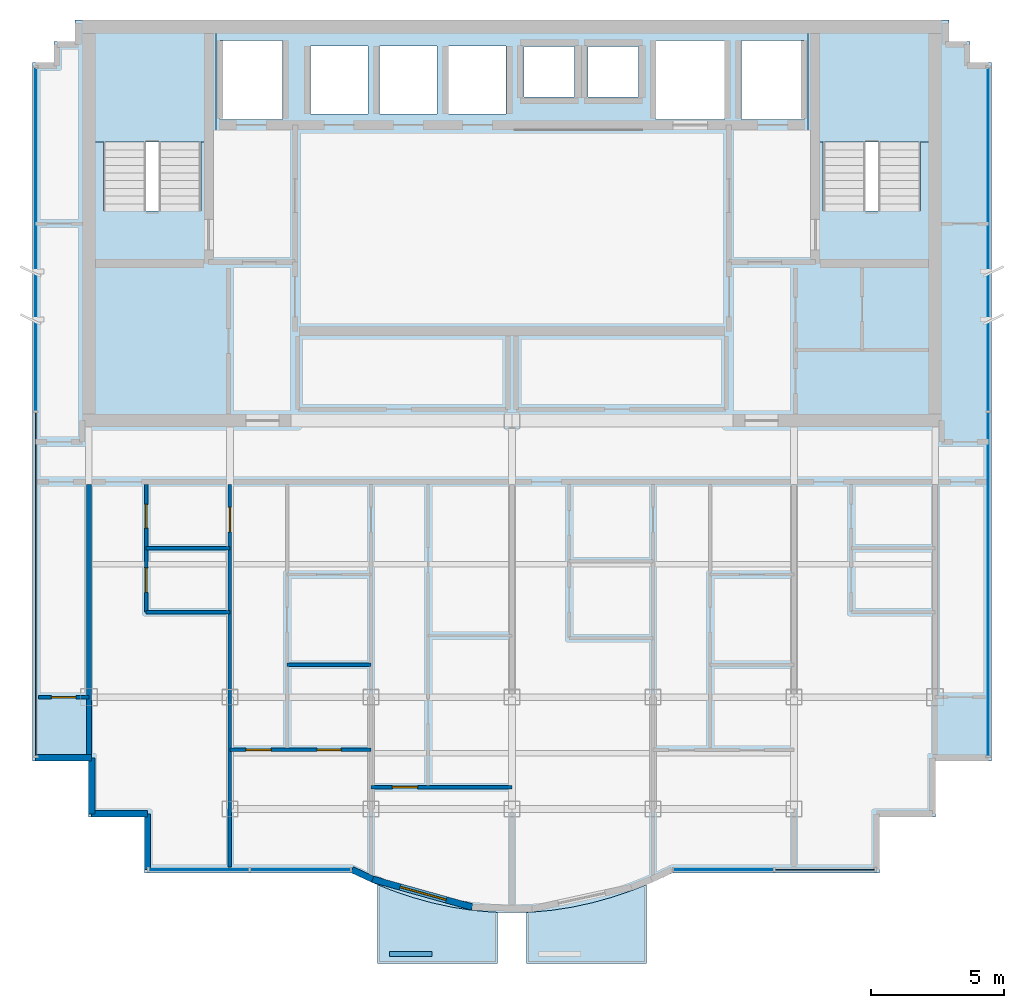
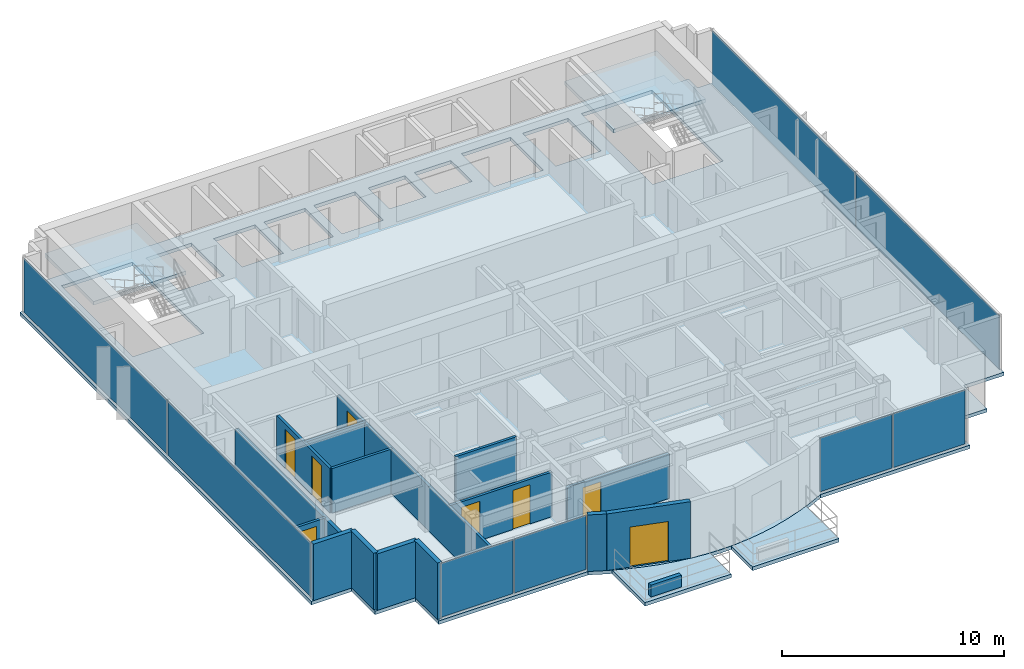
# One storey, part 5 of 11: 16 walls, 8 doors, 8 plates, 5 slabs, 8 openings, 6 elements without a shape of their own.
"""IFC4 building model written with IfcOpenShell, lengths in metres."""

from ifc_helpers import new_model, si_unit, direction, frame, frame_2d, origin, origin_2d, place, context, subcontext, project, spatial, polyline, rectangle, outline, extrude, source, transform, mapped, material, layer, layer_set, type_object, element, fill, aggregate, save


model = new_model("IFC4")

# Units and contexts
model_context = context("Model", 3, precision=1e-05, world=origin(), true_north=direction((0.0, 1.0)))
body_context = subcontext(model_context, "Body", "Model", "MODEL_VIEW")
ifc_project = project(units=[si_unit("LENGTHUNIT", "METRE"), si_unit("AREAUNIT", "SQUARE_METRE"), si_unit("VOLUMEUNIT", "CUBIC_METRE"), si_unit("PLANEANGLEUNIT", "RADIAN"), si_unit("MASSUNIT", "GRAM", prefix="KILO")], contexts=[model_context])

# Site, building, storey
site_placement = place(None, origin())
site = spatial("IfcSite", under=ifc_project, at=site_placement, CompositionType="ELEMENT")
building_placement = place(site_placement, origin())
building = spatial("IfcBuilding", under=site, at=building_placement, Name="Qianlan Lanfeng Residences", CompositionType="ELEMENT")
storey_placement = place(building_placement, frame((0.0, 0.0, 259.39990234375)))
storey = spatial("IfcBuildingStorey", under=building, at=storey_placement, Name="L72", CompositionType="ELEMENT", Elevation=259.39990234375)

# Slabs
ifc_material_1 = material(Name="Concrete C42", Category="concrete")
ifc_layer_1 = layer(ifc_material_1, 0.199951171875)
ifc_layer_set_1 = layer_set([ifc_layer_1], Name="Concrete C42")
slab_type_1 = type_object("IfcSlabType", Name="S-BAL-200", PredefinedType="FLOOR", material=ifc_layer_set_1)
slab_1_placement = place(storey_placement, frame((0.0, 0.0, -0.199951171875)))
element("IfcSlab", 1, at=slab_1_placement, inside=storey, type_object=slab_type_1, Name="L72 Planted Tree Balcony Slab SB-W", PredefinedType="FLOOR", context=body_context, shape_type="SweptSolid", body=[
    extrude(outline(polyline([(25.949951171875, 6.717041015625), (25.7451171875, 6.722900390625), (24.989990234375, 6.7939453125), (24.235107421875, 6.910888671875), (23.47998046875, 7.074951171875), (22.72509765625, 7.285888671875), (21.969970703125, 7.5439453125), (21.449951171875, 7.7529296875), (21.449951171875, 4.800048828125), (25.949951171875, 4.800048828125), (25.949951171875, 6.717041015625)])), origin(), (0.0, 0.0, 1.0), 0.199951171875),
])
slab_2_placement = place(storey_placement, frame((0.0, 0.0, -0.199951171875)))
element("IfcSlab", 2, at=slab_2_placement, inside=storey, type_object=slab_type_1, Name="L72 Planted Tree Balcony Slab SB-E", PredefinedType="FLOOR", context=body_context, shape_type="SweptSolid", body=[
    extrude(outline(polyline([(31.550048828125, 7.7529296875), (31.030029296875, 7.5439453125), (30.27490234375, 7.285888671875), (29.52001953125, 7.074951171875), (28.764892578125, 6.910888671875), (28.010009765625, 6.7939453125), (27.2548828125, 6.722900390625), (27.050048828125, 6.717041015625), (27.050048828125, 4.800048828125), (31.550048828125, 4.800048828125), (31.550048828125, 7.7529296875)])), origin(), (0.0, 0.0, 1.0), 0.199951171875),
])
ifc_layer_2 = layer(ifc_material_1, 0.18994140625)
ifc_layer_set_2 = layer_set([ifc_layer_2], Name="Concrete C42")
slab_type_2 = type_object("IfcSlabType", Name="S-FL-190", PredefinedType="FLOOR", material=ifc_layer_set_2)
slab_3_placement = place(storey_placement, frame((0.0, 0.0, -0.18994140625)))
element("IfcSlab", 3, at=slab_3_placement, inside=storey, type_object=slab_type_2, Name="L72 Structural Floor Slab", PredefinedType="FLOOR", context=body_context, shape_type="SweptSolid", body=[
    extrude(outline(polyline([(8.47998046875, 12.39990234375), (10.580078125, 12.39990234375), (10.580078125, 10.300048828125), (12.679931640625, 10.300048828125), (12.679931640625, 8.199951171875), (20.4599609375, 8.199951171875), (21.215087890625, 7.847900390625), (21.969970703125, 7.5439453125), (22.72509765625, 7.285888671875), (23.47998046875, 7.074951171875), (24.235107421875, 6.910888671875), (24.989990234375, 6.7939453125), (25.7451171875, 6.722900390625), (26.5, 6.699951171875), (27.2548828125, 6.722900390625), (28.010009765625, 6.7939453125), (28.764892578125, 6.910888671875), (29.52001953125, 7.074951171875), (30.27490234375, 7.285888671875), (31.030029296875, 7.5439453125), (31.784912109375, 7.847900390625), (32.5400390625, 8.199951171875), (40.320068359375, 8.199951171875), (40.320068359375, 10.300048828125), (42.419921875, 10.300048828125), (42.419921875, 12.39990234375), (44.52001953125, 12.39990234375), (44.52001953125, 38.64990234375), (43.719970703125, 38.64990234375), (43.719970703125, 39.449951171875), (42.919921875, 39.449951171875), (42.919921875, 40.25), (10.080078125, 40.25), (10.080078125, 39.449951171875), (9.280029296875, 39.449951171875), (9.280029296875, 38.64990234375), (8.47998046875, 38.64990234375), (8.47998046875, 12.39990234375)]), holes=[polyline([(11.139892578125, 33.080078125), (11.139892578125, 39.5), (14.820068359375, 39.5), (14.820068359375, 33.080078125), (11.139892578125, 33.080078125)]), polyline([(38.179931640625, 33.080078125), (38.179931640625, 39.5), (41.860107421875, 39.5), (41.860107421875, 33.080078125), (38.179931640625, 33.080078125)]), polyline([(15.52001953125, 36.52001953125), (15.52001953125, 39.47998046875), (17.8798828125, 39.47998046875), (17.8798828125, 36.52001953125), (15.52001953125, 36.52001953125)]), polyline([(35.1201171875, 36.52001953125), (35.1201171875, 39.47998046875), (37.47998046875, 39.47998046875), (37.47998046875, 36.52001953125), (35.1201171875, 36.52001953125)]), polyline([(31.919921875, 36.52001953125), (31.919921875, 39.47998046875), (34.47998046875, 39.47998046875), (34.47998046875, 36.52001953125), (31.919921875, 36.52001953125)]), polyline([(18.919921875, 36.719970703125), (18.919921875, 39.280029296875), (21.080078125, 39.280029296875), (21.080078125, 36.719970703125), (18.919921875, 36.719970703125)]), polyline([(21.52001953125, 36.719970703125), (21.52001953125, 39.280029296875), (23.679931640625, 39.280029296875), (23.679931640625, 36.719970703125), (21.52001953125, 36.719970703125)]), polyline([(24.1201171875, 36.719970703125), (24.1201171875, 39.280029296875), (26.280029296875, 39.280029296875), (26.280029296875, 36.719970703125), (24.1201171875, 36.719970703125)]), polyline([(26.949951171875, 37.35009765625), (26.949951171875, 39.25), (28.85009765625, 39.25), (28.85009765625, 37.35009765625), (26.949951171875, 37.35009765625)]), polyline([(29.35009765625, 37.35009765625), (29.35009765625, 39.25), (31.25, 39.25), (31.25, 37.35009765625), (29.35009765625, 37.35009765625)])]), origin(), (0.0, 0.0, 1.0), 0.18994140625),
])

# Stair, slab
stair_type = type_object("IfcStairType", Name="STR-MAIN", PredefinedType="HALF_TURN_STAIR", material=ifc_material_1)
stair_1_placement = place(storey_placement, origin())
stair_1 = element("IfcStair", 4, at=stair_1_placement, inside=storey, type_object=stair_type, Name="L72 Exit Stair ST-1", PredefinedType="HALF_TURN_STAIR")
ifc_layer_3 = layer(ifc_material_1, 0.179931640625)
ifc_layer_set_3 = layer_set([ifc_layer_3], Name="Concrete C42")
slab_type_3 = type_object("IfcSlabType", Name="S-LND-180", PredefinedType="LANDING", material=ifc_layer_set_3)
slab_4_placement = place(storey_placement, frame((0.0, 0.0, 1.4501953125)))
slab_4 = element("IfcSlab", 5, at=slab_4_placement, type_object=slab_type_3, Name="ST-1 landing 1", PredefinedType="LANDING", context=body_context, shape_type="SweptSolid", body=[
    extrude(outline(polyline([(10.580078125, 35.659912109375), (15.3798828125, 35.659912109375), (15.3798828125, 40.050048828125), (10.580078125, 40.050048828125), (10.580078125, 35.659912109375)])), origin(), (0.0, 0.0, 1.0), 0.199951171875),
])
aggregate(stair_1, [slab_4])

stair_2_placement = place(storey_placement, origin())
stair_2 = element("IfcStair", 6, at=stair_2_placement, inside=storey, type_object=stair_type, Name="L72 Exit Stair ST-2", PredefinedType="HALF_TURN_STAIR")
slab_5_placement = place(storey_placement, frame((0.0, 0.0, 1.4501953125)))
slab_5 = element("IfcSlab", 7, at=slab_5_placement, type_object=slab_type_3, Name="ST-2 landing 1", PredefinedType="LANDING", context=body_context, shape_type="SweptSolid", body=[
    extrude(outline(polyline([(37.6201171875, 35.659912109375), (42.419921875, 35.659912109375), (42.419921875, 40.050048828125), (37.6201171875, 40.050048828125), (37.6201171875, 35.659912109375)])), origin(), (0.0, 0.0, 1.0), 0.199951171875),
])
aggregate(stair_2, [slab_5])

# Curtain wall, plates
ifc_material_2 = material(Name="Anodised Bronze Aluminium 6063-T6", Category="aluminium")
ifc_layer_4 = layer(ifc_material_2, 0.219970703125)
ifc_layer_set_4 = layer_set([ifc_layer_4], Name="Anodised Bronze Aluminium 6063-T6")
curtain_wall_type = type_object("IfcCurtainWallType", Name="CW-06", PredefinedType="NOTDEFINED", material=ifc_layer_set_4)
curtain_wall_1_placement = place(storey_placement, origin())
curtain_wall_1 = element("IfcCurtainWall", 8, at=curtain_wall_1_placement, inside=storey, type_object=curtain_wall_type, Name="L72 Unitised Curtain Wall CWR-L72-01 (CW-06)", PredefinedType="NOTDEFINED")
ifc_material_3 = material(Name="Clear Low-E Insulated Glass", Category="glass")
ifc_layer_5 = layer(ifc_material_3, 0.035888671875)
ifc_layer_set_5 = layer_set([ifc_layer_5], Name="Clear Low-E Insulated Glass")
plate_type_1 = type_object("IfcPlateType", Name="PNL-GLZ-CLR", PredefinedType="CURTAIN_PANEL", material=ifc_layer_set_5)
shared_shape_1 = source(origin(), body_context, "Body", "SweptSolid", [
    extrude(rectangle(XDim=3.73291015625, YDim=0.035888671875, at=origin_2d()), origin(), (0.0, 0.0, 1.0), 2.9619140625),
])
plate_1_placement = place(storey_placement, frame((14.740478515625, 8.320068359375, 0.07421875), z_axis=(0.0, 0.0, 1.0), x_axis=(1.0, 0.0, 0.0)))
plate_1 = element("IfcPlate", 9, at=plate_1_placement, type_object=plate_type_1, Name="CWR-L72-01 Curtain Panel 1", PredefinedType="CURTAIN_PANEL", context=body_context, shape_type="MappedRepresentation", body=[
    mapped(shared_shape_1, transform((0.0, 0.0, 0.0), scale=1.0)),
])
plate_2_placement = place(storey_placement, frame((18.54638671875, 8.320068359375, 0.07421875), z_axis=(0.0, 0.0, 1.0), x_axis=(1.0, 0.0, 0.0)))
plate_2 = element("IfcPlate", 10, at=plate_2_placement, type_object=plate_type_1, Name="CWR-L72-01 Curtain Panel 2", PredefinedType="CURTAIN_PANEL", context=body_context, shape_type="MappedRepresentation", body=[
    mapped(shared_shape_1, transform((0.0, 0.0, 0.0), scale=1.0)),
])
aggregate(curtain_wall_1, [plate_1, plate_2])

curtain_wall_2_placement = place(storey_placement, origin())
curtain_wall_2 = element("IfcCurtainWall", 11, at=curtain_wall_2_placement, inside=storey, type_object=curtain_wall_type, Name="L72 Unitised Curtain Wall CWR-L72-02 (CW-06)", PredefinedType="NOTDEFINED")
plate_3_placement = place(storey_placement, frame((34.45361328125, 8.320068359375, 0.07421875), z_axis=(0.0, 0.0, 1.0), x_axis=(1.0, 0.0, 0.0)))
plate_3 = element("IfcPlate", 12, at=plate_3_placement, type_object=plate_type_1, Name="CWR-L72-02 Curtain Panel 1", PredefinedType="CURTAIN_PANEL", context=body_context, shape_type="MappedRepresentation", body=[
    mapped(shared_shape_1, transform((0.0, 0.0, 0.0), scale=1.0)),
])
ifc_material_4 = material(Name="Perforated Champagne Gold Aluminium Panel", Category="aluminium")
ifc_layer_6 = layer(ifc_material_4, 0.0400390625)
ifc_layer_set_6 = layer_set([ifc_layer_6], Name="Perforated Champagne Gold Aluminium Panel")
plate_type_2 = type_object("IfcPlateType", Name="PNL-PRF-GLD", PredefinedType="CURTAIN_PANEL", material=ifc_layer_set_6)
shared_shape_2 = source(origin(), body_context, "Body", "SweptSolid", [
    extrude(rectangle(XDim=3.73291015625, YDim=0.0400390625, at=origin_2d()), origin(), (0.0, 0.0, 1.0), 2.9619140625),
])
plate_4_placement = place(storey_placement, frame((38.259521484375, 8.320068359375, 0.07421875), z_axis=(0.0, 0.0, 1.0), x_axis=(1.0, 0.0, 0.0)))
plate_4 = element("IfcPlate", 13, at=plate_4_placement, type_object=plate_type_2, Name="CWR-L72-02 Curtain Panel 2", PredefinedType="CURTAIN_PANEL", context=body_context, shape_type="MappedRepresentation", body=[
    mapped(shared_shape_2, transform((0.0, 0.0, 0.0), scale=1.0)),
])
aggregate(curtain_wall_2, [plate_3, plate_4])

curtain_wall_3_placement = place(storey_placement, origin())
curtain_wall_3 = element("IfcCurtainWall", 14, at=curtain_wall_3_placement, inside=storey, type_object=curtain_wall_type, Name="L72 Unitised Curtain Wall CWR-L72-03 (CW-06)", PredefinedType="NOTDEFINED")
shared_shape_3 = source(origin(), body_context, "Body", "SweptSolid", [
    extrude(rectangle(XDim=12.89453125, YDim=0.035888671875, at=origin_2d()), origin(), (0.0, 0.0, 1.0), 2.9619140625),
])
plate_5_placement = place(storey_placement, frame((44.39990234375, 19.041259765625, 0.07421875), z_axis=(0.0, 0.0, 1.0), x_axis=(0.0, 1.0, 0.0)))
plate_5 = element("IfcPlate", 15, at=plate_5_placement, type_object=plate_type_1, Name="CWR-L72-03 Curtain Panel 1", PredefinedType="CURTAIN_PANEL", context=body_context, shape_type="MappedRepresentation", body=[
    mapped(shared_shape_3, transform((0.0, 0.0, 0.0), scale=1.0)),
])
plate_6_placement = place(storey_placement, frame((44.39990234375, 32.0087890625, 0.07421875), z_axis=(0.0, 0.0, 1.0), x_axis=(0.0, 1.0, 0.0)))
plate_6 = element("IfcPlate", 16, at=plate_6_placement, type_object=plate_type_1, Name="CWR-L72-03 Curtain Panel 2", PredefinedType="CURTAIN_PANEL", context=body_context, shape_type="MappedRepresentation", body=[
    mapped(shared_shape_3, transform((0.0, 0.0, 0.0), scale=1.0)),
])
aggregate(curtain_wall_3, [plate_5, plate_6])

curtain_wall_4_placement = place(storey_placement, origin())
curtain_wall_4 = element("IfcCurtainWall", 17, at=curtain_wall_4_placement, inside=storey, type_object=curtain_wall_type, Name="L72 Unitised Curtain Wall CWR-L72-04 (CW-06)", PredefinedType="NOTDEFINED")
plate_7_placement = place(storey_placement, frame((8.60009765625, 32.0087890625, 0.07421875), z_axis=(0.0, 0.0, 1.0), x_axis=(0.0, -1.0, 0.0)))
plate_7 = element("IfcPlate", 18, at=plate_7_placement, type_object=plate_type_1, Name="CWR-L72-04 Curtain Panel 1", PredefinedType="CURTAIN_PANEL", context=body_context, shape_type="MappedRepresentation", body=[
    mapped(shared_shape_3, transform((0.0, 0.0, 0.0), scale=1.0)),
])
shared_shape_4 = source(origin(), body_context, "Body", "SweptSolid", [
    extrude(rectangle(XDim=12.89453125, YDim=0.0400390625, at=origin_2d()), origin(), (0.0, 0.0, 1.0), 2.9619140625),
])
plate_8_placement = place(storey_placement, frame((8.60009765625, 19.041259765625, 0.07421875), z_axis=(0.0, 0.0, 1.0), x_axis=(0.0, -1.0, 0.0)))
plate_8 = element("IfcPlate", 19, at=plate_8_placement, type_object=plate_type_2, Name="CWR-L72-04 Curtain Panel 2", PredefinedType="CURTAIN_PANEL", context=body_context, shape_type="MappedRepresentation", body=[
    mapped(shared_shape_4, transform((0.0, 0.0, 0.0), scale=1.0)),
])
aggregate(curtain_wall_4, [plate_7, plate_8])

# Walls
ifc_layer_7 = layer(ifc_material_1, 0.239990234375)
ifc_layer_set_7 = layer_set([ifc_layer_7], Name="Concrete C42")
wall_type_1 = type_object("IfcWallType", Name="EW-240", PredefinedType="SOLIDWALL", material=ifc_layer_set_7)
wall_1_placement = place(storey_placement, frame((8.60009765625, 12.52001953125, 0.0), z_axis=(0.0, 0.0, 1.0), x_axis=(1.0, 0.0, 0.0)))
element("IfcWall", 20, at=wall_1_placement, inside=storey, type_object=wall_type_1, Name="L72 Exterior Facade Spandrel Wall 1", PredefinedType="SOLIDWALL", context=body_context, shape_type="SweptSolid", body=[
    extrude(rectangle(XDim=2.099853515625, YDim=0.239990234375, at=frame_2d((1.0498046875, 0.0))), origin(), (0.0, 0.0, 1.0), 3.110107421875),
])
for number, where, z_axis, x_axis, name in (
    (21, (10.699951171875, 12.52001953125, 0.0), (0.0, 0.0, 1.0), (0.0, -1.0, 0.0), "L72 Exterior Facade Spandrel Wall 2"),
    (22, (10.699951171875, 10.419921875, 0.0), (0.0, 0.0, 1.0), (1.0, 0.0, 0.0), "L72 Exterior Facade Spandrel Wall 3"),
):
    element("IfcWall", number, at=place(storey_placement, frame(where, z_axis=z_axis, x_axis=x_axis)), inside=storey, type_object=wall_type_1, Name=name, PredefinedType="SOLIDWALL", context=body_context, shape_type="SweptSolid", body=[
        extrude(rectangle(XDim=2.10009765625, YDim=0.239990234375, at=frame_2d((1.050048828125, 0.0))), origin(), (0.0, 0.0, 1.0), 3.110107421875),
    ])
wall_2_placement = place(storey_placement, frame((12.800048828125, 10.419921875, 0.0), z_axis=(0.0, 0.0, 1.0), x_axis=(0.0, -1.0, 0.0)))
element("IfcWall", 23, at=wall_2_placement, inside=storey, type_object=wall_type_1, Name="L72 Exterior Facade Spandrel Wall 4", PredefinedType="SOLIDWALL", context=body_context, shape_type="SweptSolid", body=[
    extrude(rectangle(XDim=2.099853515625, YDim=0.239990234375, at=frame_2d((1.0498046875, 0.0))), origin(), (0.0, 0.0, 1.0), 3.110107421875),
])
wall_3_placement = place(storey_placement, frame((20.487060546875, 8.320068359375, 0.0), z_axis=(0.0, 0.0, 1.0), x_axis=(0.906190424584, -0.422869855147, 0.0)))
element("IfcWall", 24, at=wall_3_placement, inside=storey, type_object=wall_type_1, Name="L72 Exterior Facade Spandrel Wall 5", PredefinedType="SOLIDWALL", context=body_context, shape_type="SweptSolid", body=[
    extrude(rectangle(XDim=0.856201171875, YDim=0.239990234375, at=frame_2d((0.42822265625, 0.0))), origin(), (0.0, 0.0, 1.0), 3.110107421875),
])

# Wall, opening, door
wall_4_placement = place(storey_placement, frame((21.262939453125, 7.9580078125, 0.0), z_axis=(0.0, 0.0, 1.0), x_axis=(0.963152398068, -0.268956238255, 0.0)))
wall_4 = element("IfcWall", 25, at=wall_4_placement, inside=storey, type_object=wall_type_1, Name="L72 Terrace/Balcony Access Exterior Wall 6", PredefinedType="SOLIDWALL", context=body_context, shape_type="SweptSolid", body=[
    extrude(rectangle(XDim=3.885009765625, YDim=0.239990234375, at=frame_2d((1.9423828125, 0.0))), origin(), (0.0, 0.0, 1.0), 3.110107421875),
])
opening_1_placement = place(wall_4_placement, frame((1.073974609375, 0.0, 0.0)))
opening_1 = element("IfcOpeningElement", 26, at=opening_1_placement, cuts=wall_4, Name="Opening L72-D-SB-W", PredefinedType="OPENING", context=body_context, shape_type="SweptSolid", body=[
    extrude(rectangle(XDim=1.800048828125, YDim=2.199951171875, at=frame_2d((0.89990234375, 1.10009765625))), frame((0.0, 0.1298828125, 0.0), z_axis=(0.0, -1.0, 0.0), x_axis=(1.0, 0.0, 0.0)), (0.0, 0.0, 1.0), 0.260009765625),
])
ifc_material_5 = material(Name="Anodised Bronze Aluminium Framed Glass", Category="aluminium")
door_type_1 = type_object("IfcDoorType", Name="DT-BAL1", OperationType="NOTDEFINED", PredefinedType="DOOR", material=ifc_material_5)
door_1_placement = place(opening_1_placement, frame((1.800048828125, 0.0, 0.0), z_axis=(0.0, 0.0, 1.0), x_axis=(-1.0, 0.0, 0.0)))
door_1 = element("IfcDoor", 27, at=door_1_placement, inside=storey, type_object=door_type_1, Name="L72 Exterior Access Door SB-W", OperationType="DOUBLE_DOOR_SLIDING", OverallHeight=2.199951171875, OverallWidth=1.800048828125, PredefinedType="DOOR", context=body_context, shape_type="SweptSolid", body=[
    extrude(rectangle(XDim=1.800048828125, YDim=2.199951171875, at=frame_2d((0.89990234375, 1.10009765625))), frame((0.0, 0.02490234375, 0.0), z_axis=(0.0, -1.0, 0.0), x_axis=(1.0, 0.0, 0.0)), (0.0, 0.0, 1.0), 0.050048828125),
])
fill(opening_1, door_1)

# Wall
ifc_layer_8 = layer(ifc_material_1, 0.199951171875)
ifc_layer_set_8 = layer_set([ifc_layer_8], Name="Concrete C42")
wall_type_2 = type_object("IfcWallType", Name="PL-TREE-200", PredefinedType="PARAPET", material=ifc_layer_set_8)
wall_5_placement = place(storey_placement, frame((21.89990234375, 5.14990234375, 0.0), z_axis=(0.0, 0.0, 1.0), x_axis=(1.0, 0.0, 0.0)))
element("IfcWall", 28, at=wall_5_placement, inside=storey, type_object=wall_type_2, Name="L72 Balcony Tree Planter Curb SB-W", PredefinedType="PARAPET", context=body_context, shape_type="SweptSolid", body=[
    extrude(rectangle(XDim=1.60009765625, YDim=0.199951171875, at=frame_2d((0.800048828125, 0.0))), origin(), (0.0, 0.0, 1.0), 0.650146484375),
])

# Wall, opening, door
ifc_material_6 = material(Name="Moisture-Resistant Gypsum Partition 135 mm")
ifc_layer_9 = layer(ifc_material_6, 0.135009765625)
ifc_layer_set_9 = layer_set([ifc_layer_9], Name="Moisture-Resistant Gypsum Partition 135 mm")
wall_type_3 = type_object("IfcWallType", Name="PW-135", PredefinedType="PARTITIONING", material=ifc_layer_set_9)
wall_6_placement = place(storey_placement, frame((15.89990234375, 8.419921875, 0.0), z_axis=(0.0, 0.0, 1.0), x_axis=(0.0, 1.0, 0.0)))
wall_6 = element("IfcWall", 29, at=wall_6_placement, inside=storey, type_object=wall_type_3, Name="L72 U01 Bay Spine Wall 1", PredefinedType="PARTITIONING", context=body_context, shape_type="SweptSolid", body=[
    extrude(rectangle(XDim=14.380126953125, YDim=0.135009765625, at=frame_2d((7.18994140625, 0.0))), origin(), (0.0, 0.0, 1.0), 2.4501953125),
])
opening_2_placement = place(wall_6_placement, frame((12.594970703125, 0.0, 0.0)))
opening_2 = element("IfcOpeningElement", 30, at=opening_2_placement, cuts=wall_6, Name="Opening L72-D18", PredefinedType="OPENING", context=body_context, shape_type="SweptSolid", body=[
    extrude(rectangle(XDim=0.919921875, YDim=2.14990234375, at=frame_2d((0.4599609375, 1.074951171875))), frame((0.0, 0.07763671875, 0.0), z_axis=(0.0, -1.0, 0.0), x_axis=(1.0, 0.0, 0.0)), (0.0, 0.0, 1.0), 0.155029296875),
])
ifc_material_7 = material(Name="Glazed Timber Kitchen/Study Door", Category="wood")
door_type_2 = type_object("IfcDoorType", Name="DT-INT", OperationType="NOTDEFINED", PredefinedType="DOOR", material=ifc_material_7)
door_2_placement = place(opening_2_placement, origin())
door_2 = element("IfcDoor", 31, at=door_2_placement, inside=storey, type_object=door_type_2, Name="L72 U01 Internal Hall Door L72-D18 (DT-INT)", OperationType="SINGLE_SWING_LEFT", OverallHeight=2.14990234375, OverallWidth=0.919921875, PredefinedType="DOOR", context=body_context, shape_type="SweptSolid", body=[
    extrude(rectangle(XDim=0.919921875, YDim=2.14990234375, at=frame_2d((0.4599609375, 1.074951171875))), frame((0.0, 0.02490234375, 0.0), z_axis=(0.0, -1.0, 0.0), x_axis=(1.0, 0.0, 0.0)), (0.0, 0.0, 1.0), 0.050048828125),
])
fill(opening_2, door_2)

# Wall, openings, doors
wall_7_placement = place(storey_placement, frame((12.75, 18.0, 0.0), z_axis=(0.0, 0.0, 1.0), x_axis=(0.0, 1.0, 0.0)))
wall_7 = element("IfcWall", 32, at=wall_7_placement, inside=storey, type_object=wall_type_3, Name="L72 U01 Wet Stack Spine", PredefinedType="PARTITIONING", context=body_context, shape_type="SweptSolid", body=[
    extrude(rectangle(XDim=4.800048828125, YDim=0.135009765625, at=frame_2d((2.39990234375, 0.0))), origin(), (0.0, 0.0, 1.0), 2.4501953125),
])
opening_3_placement = place(wall_7_placement, frame((0.739990234375, 0.0, 0.0)))
opening_3 = element("IfcOpeningElement", 33, at=opening_3_placement, cuts=wall_7, Name="Opening L72-D20", PredefinedType="OPENING", context=body_context, shape_type="SweptSolid", body=[
    extrude(rectangle(XDim=0.919921875, YDim=2.14990234375, at=frame_2d((0.4599609375, 1.074951171875))), frame((0.0, 0.07763671875, 0.0), z_axis=(0.0, -1.0, 0.0), x_axis=(1.0, 0.0, 0.0)), (0.0, 0.0, 1.0), 0.155029296875),
])
opening_4_placement = place(wall_7_placement, frame((3.14990234375, 0.0, 0.0)))
opening_4 = element("IfcOpeningElement", 34, at=opening_4_placement, cuts=wall_7, Name="Opening L72-D21", PredefinedType="OPENING", context=body_context, shape_type="SweptSolid", body=[
    extrude(rectangle(XDim=0.89990234375, YDim=2.14990234375, at=frame_2d((0.449951171875, 1.074951171875))), frame((0.0, 0.07763671875, 0.0), z_axis=(0.0, -1.0, 0.0), x_axis=(1.0, 0.0, 0.0)), (0.0, 0.0, 1.0), 0.155029296875),
])
door_3_placement = place(opening_3_placement, origin())
door_3 = element("IfcDoor", 35, at=door_3_placement, inside=storey, type_object=door_type_2, Name="L72 U01 Kitchen Door L72-D20 (DT-INT)", OperationType="SINGLE_SWING_LEFT", OverallHeight=2.14990234375, OverallWidth=0.919921875, PredefinedType="DOOR", context=body_context, shape_type="SweptSolid", body=[
    extrude(rectangle(XDim=0.919921875, YDim=2.14990234375, at=frame_2d((0.4599609375, 1.074951171875))), frame((0.0, 0.02490234375, 0.0), z_axis=(0.0, -1.0, 0.0), x_axis=(1.0, 0.0, 0.0)), (0.0, 0.0, 1.0), 0.050048828125),
])
fill(opening_3, door_3)
ifc_material_8 = material(Name="Moisture-Resistant Timber Leaf", Category="wood")
door_type_3 = type_object("IfcDoorType", Name="DT-WC", OperationType="NOTDEFINED", PredefinedType="DOOR", material=ifc_material_8)
door_4_placement = place(opening_4_placement, origin())
door_4 = element("IfcDoor", 36, at=door_4_placement, inside=storey, type_object=door_type_3, Name="L72 U01 Bathroom Door L72-D21 (DT-WC)", OperationType="SINGLE_SWING_LEFT", OverallHeight=2.14990234375, OverallWidth=0.89990234375, PredefinedType="DOOR", context=body_context, shape_type="SweptSolid", body=[
    extrude(rectangle(XDim=0.89990234375, YDim=2.14990234375, at=frame_2d((0.449951171875, 1.074951171875))), frame((0.0, 0.02490234375, 0.0), z_axis=(0.0, -1.0, 0.0), x_axis=(1.0, 0.0, 0.0)), (0.0, 0.0, 1.0), 0.050048828125),
])
fill(opening_4, door_4)

# Walls
for number, where, z_axis, x_axis, name in (
    (37, (12.75, 18.0, 0.0), (0.0, 0.0, 1.0), (1.0, 0.0, 0.0), "L72 U01 Kitchen South Wall"),
    (38, (12.75, 20.39990234375, 0.0), (0.0, 0.0, 1.0), (1.0, 0.0, 0.0), "L72 U01 Bathroom South Wall"),
):
    element("IfcWall", number, at=place(storey_placement, frame(where, z_axis=z_axis, x_axis=x_axis)), inside=storey, type_object=wall_type_3, Name=name, PredefinedType="PARTITIONING", context=body_context, shape_type="SweptSolid", body=[
        extrude(rectangle(XDim=3.14990234375, YDim=0.135009765625, at=frame_2d((1.574951171875, 0.0))), origin(), (0.0, 0.0, 1.0), 2.4501953125),
    ])

# Wall, openings, doors
wall_8_placement = place(storey_placement, frame((15.89990234375, 12.820068359375, 0.0), z_axis=(0.0, 0.0, 1.0), x_axis=(1.0, 0.0, 0.0)))
wall_8 = element("IfcWall", 39, at=wall_8_placement, inside=storey, type_object=wall_type_3, Name="L72 U01 Master Bedroom North Wall", PredefinedType="PARTITIONING", context=body_context, shape_type="SweptSolid", body=[
    extrude(rectangle(XDim=5.300048828125, YDim=0.135009765625, at=frame_2d((2.64990234375, 0.0))), origin(), (0.0, 0.0, 1.0), 2.4501953125),
])
opening_5_placement = place(wall_8_placement, frame((0.60009765625, 0.0, 0.0)))
opening_5 = element("IfcOpeningElement", 40, at=opening_5_placement, cuts=wall_8, Name="Opening L72-D22", PredefinedType="OPENING", context=body_context, shape_type="SweptSolid", body=[
    extrude(rectangle(XDim=0.949951171875, YDim=2.14990234375, at=frame_2d((0.47509765625, 1.074951171875))), frame((0.0, 0.07763671875, 0.0), z_axis=(0.0, -1.0, 0.0), x_axis=(1.0, 0.0, 0.0)), (0.0, 0.0, 1.0), 0.155029296875),
])
opening_6_placement = place(wall_8_placement, frame((3.27490234375, 0.0, 0.0)))
opening_6 = element("IfcOpeningElement", 41, at=opening_6_placement, cuts=wall_8, Name="Opening L72-D23", PredefinedType="OPENING", context=body_context, shape_type="SweptSolid", body=[
    extrude(rectangle(XDim=0.89990234375, YDim=2.14990234375, at=frame_2d((0.449951171875, 1.074951171875))), frame((0.0, 0.07763671875, 0.0), z_axis=(0.0, -1.0, 0.0), x_axis=(1.0, 0.0, 0.0)), (0.0, 0.0, 1.0), 0.155029296875),
])
ifc_material_9 = material(Name="Painted Solid-Core Timber Leaf", Category="wood")
door_type_4 = type_object("IfcDoorType", Name="DT-BED", OperationType="NOTDEFINED", PredefinedType="DOOR", material=ifc_material_9)
door_5_placement = place(opening_5_placement, frame((0.949951171875, 0.0, 0.0), z_axis=(0.0, 0.0, 1.0), x_axis=(-1.0, 0.0, 0.0)))
door_5 = element("IfcDoor", 42, at=door_5_placement, inside=storey, type_object=door_type_4, Name="L72 U01 Master Bedroom Door L72-D22 (DT-BED)", OperationType="SINGLE_SWING_RIGHT", OverallHeight=2.14990234375, OverallWidth=0.949951171875, PredefinedType="DOOR", context=body_context, shape_type="SweptSolid", body=[
    extrude(rectangle(XDim=0.949951171875, YDim=2.14990234375, at=frame_2d((0.47509765625, 1.074951171875))), frame((0.0, 0.02490234375, 0.0), z_axis=(0.0, -1.0, 0.0), x_axis=(1.0, 0.0, 0.0)), (0.0, 0.0, 1.0), 0.050048828125),
])
fill(opening_5, door_5)
door_6_placement = place(opening_6_placement, origin())
door_6 = element("IfcDoor", 43, at=door_6_placement, inside=storey, type_object=door_type_3, Name="L72 U01 En-Suite Bathroom Door L72-D23 (DT-WC)", OperationType="SINGLE_SWING_RIGHT", OverallHeight=2.14990234375, OverallWidth=0.89990234375, PredefinedType="DOOR", context=body_context, shape_type="SweptSolid", body=[
    extrude(rectangle(XDim=0.89990234375, YDim=2.14990234375, at=frame_2d((0.449951171875, 1.074951171875))), frame((0.0, 0.02490234375, 0.0), z_axis=(0.0, -1.0, 0.0), x_axis=(1.0, 0.0, 0.0)), (0.0, 0.0, 1.0), 0.050048828125),
])
fill(opening_6, door_6)

# Wall
wall_9_placement = place(storey_placement, frame((18.050048828125, 16.02001953125, 0.0), z_axis=(0.0, 0.0, 1.0), x_axis=(1.0, 0.0, 0.0)))
element("IfcWall", 44, at=wall_9_placement, inside=storey, type_object=wall_type_3, Name="L72 U01 En-Suite North Wall", PredefinedType="PARTITIONING", context=body_context, shape_type="SweptSolid", body=[
    extrude(rectangle(XDim=3.14990234375, YDim=0.135009765625, at=frame_2d((1.574951171875, 0.0))), origin(), (0.0, 0.0, 1.0), 2.4501953125),
])

# Wall, opening, door
wall_10_placement = place(storey_placement, frame((21.199951171875, 11.419921875, 0.0), z_axis=(0.0, 0.0, 1.0), x_axis=(1.0, 0.0, 0.0)))
wall_10 = element("IfcWall", 45, at=wall_10_placement, inside=storey, type_object=wall_type_3, Name="L72 U01 Bedroom 2 North Wall", PredefinedType="PARTITIONING", context=body_context, shape_type="SweptSolid", body=[
    extrude(rectangle(XDim=5.300048828125, YDim=0.135009765625, at=frame_2d((2.64990234375, 0.0))), origin(), (0.0, 0.0, 1.0), 2.4501953125),
])
opening_7_placement = place(wall_10_placement, frame((0.800048828125, 0.0, 0.0)))
opening_7 = element("IfcOpeningElement", 46, at=opening_7_placement, cuts=wall_10, Name="Opening L72-D26", PredefinedType="OPENING", context=body_context, shape_type="SweptSolid", body=[
    extrude(rectangle(XDim=0.949951171875, YDim=2.14990234375, at=frame_2d((0.47509765625, 1.074951171875))), frame((0.0, 0.07763671875, 0.0), z_axis=(0.0, -1.0, 0.0), x_axis=(1.0, 0.0, 0.0)), (0.0, 0.0, 1.0), 0.155029296875),
])
door_7_placement = place(opening_7_placement, origin())
door_7 = element("IfcDoor", 47, at=door_7_placement, inside=storey, type_object=door_type_4, Name="L72 U01 Bedroom 2 Door L72-D26 (DT-BED)", OperationType="SINGLE_SWING_LEFT", OverallHeight=2.14990234375, OverallWidth=0.949951171875, PredefinedType="DOOR", context=body_context, shape_type="SweptSolid", body=[
    extrude(rectangle(XDim=0.949951171875, YDim=2.14990234375, at=frame_2d((0.47509765625, 1.074951171875))), frame((0.0, 0.02490234375, 0.0), z_axis=(0.0, -1.0, 0.0), x_axis=(1.0, 0.0, 0.0)), (0.0, 0.0, 1.0), 0.050048828125),
])
fill(opening_7, door_7)

wall_11_placement = place(storey_placement, frame((8.699951171875, 14.800048828125, 0.0), z_axis=(0.0, 0.0, 1.0), x_axis=(1.0, 0.0, 0.0)))
wall_11 = element("IfcWall", 48, at=wall_11_placement, inside=storey, type_object=wall_type_3, Name="L72 SWP Mid Partition", PredefinedType="PARTITIONING", context=body_context, shape_type="SweptSolid", body=[
    extrude(rectangle(XDim=1.900146484375, YDim=0.135009765625, at=frame_2d((0.9501953125, 0.0))), origin(), (0.0, 0.0, 1.0), 2.4501953125),
])
opening_8_placement = place(wall_11_placement, frame((0.489990234375, 0.0, 0.0)))
opening_8 = element("IfcOpeningElement", 49, at=opening_8_placement, cuts=wall_11, Name="Opening L72-D40", PredefinedType="OPENING", context=body_context, shape_type="SweptSolid", body=[
    extrude(rectangle(XDim=0.919921875, YDim=2.14990234375, at=frame_2d((0.4599609375, 1.074951171875))), frame((0.0, 0.07763671875, 0.0), z_axis=(0.0, -1.0, 0.0), x_axis=(1.0, 0.0, 0.0)), (0.0, 0.0, 1.0), 0.155029296875),
])
door_8_placement = place(opening_8_placement, origin())
door_8 = element("IfcDoor", 50, at=door_8_placement, inside=storey, type_object=door_type_2, Name="L72 SWP Inner Door L72-D40 (DT-INT)", OperationType="SINGLE_SWING_LEFT", OverallHeight=2.14990234375, OverallWidth=0.919921875, PredefinedType="DOOR", context=body_context, shape_type="SweptSolid", body=[
    extrude(rectangle(XDim=0.919921875, YDim=2.14990234375, at=frame_2d((0.4599609375, 1.074951171875))), frame((0.0, 0.02490234375, 0.0), z_axis=(0.0, -1.0, 0.0), x_axis=(1.0, 0.0, 0.0)), (0.0, 0.0, 1.0), 0.050048828125),
])
fill(opening_8, door_8)

# Wall
ifc_material_10 = material(Name="Double-Layer Acoustic Gypsum Stud Wall 180 mm")
ifc_layer_10 = layer(ifc_material_10, 0.179931640625)
ifc_layer_set_10 = layer_set([ifc_layer_10], Name="Double-Layer Acoustic Gypsum Stud Wall 180 mm")
wall_type_4 = type_object("IfcWallType", Name="PW-180", PredefinedType="PARTITIONING", material=ifc_layer_set_10)
wall_12_placement = place(storey_placement, frame((10.60009765625, 12.6201171875, 0.0), z_axis=(0.0, 0.0, 1.0), x_axis=(0.0, 1.0, 0.0)))
element("IfcWall", 51, at=wall_12_placement, inside=storey, type_object=wall_type_4, Name="L72 Wing Boundary Party Wall W0", PredefinedType="PARTITIONING", context=body_context, shape_type="SweptSolid", body=[
    extrude(rectangle(XDim=10.179931640625, YDim=0.179931640625, at=frame_2d((5.08984375, 0.0))), origin(), (0.0, 0.0, 1.0), 2.4501953125),
])

save(model, "model.ifc")
